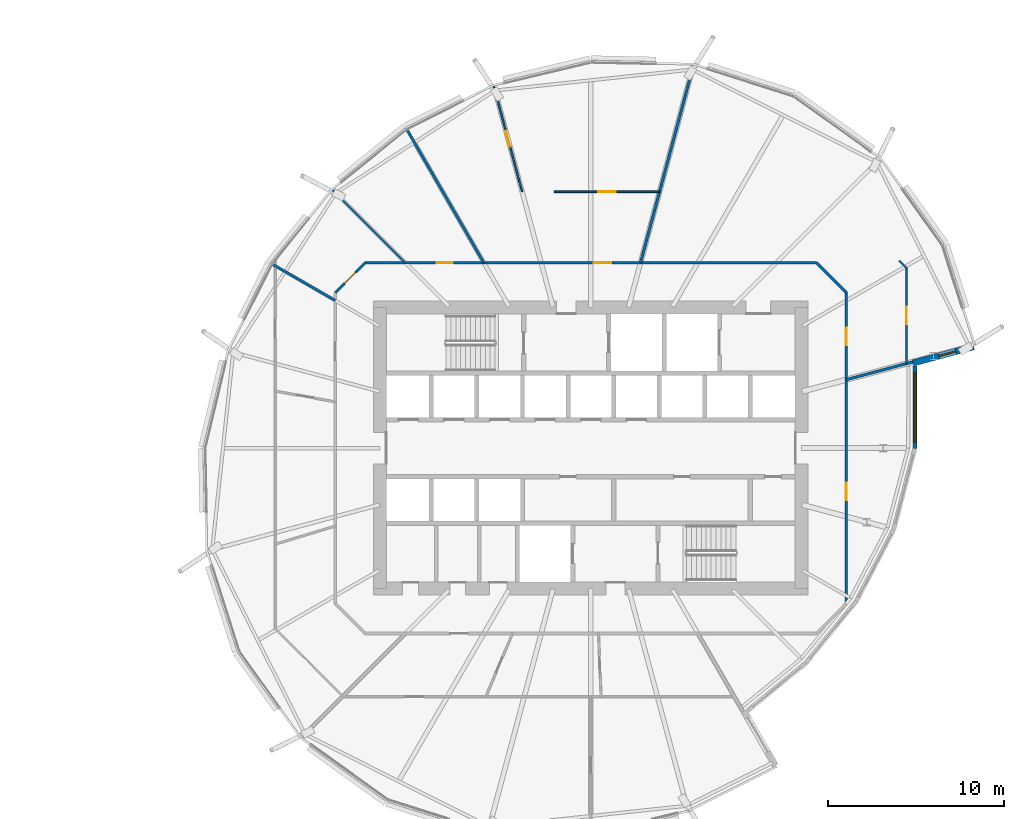
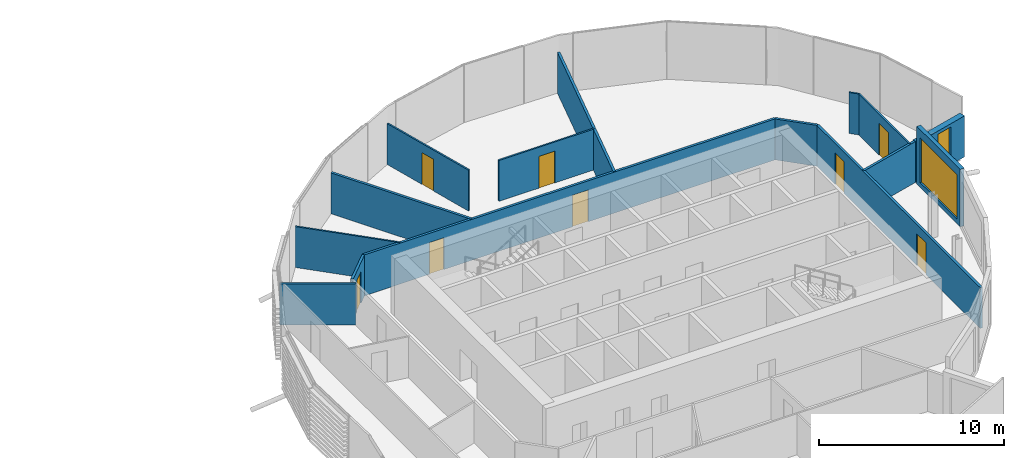
# One storey, part 26 of 38: 15 walls, 8 doors, 2 windows, 10 openings.
"""IFC4 building model written with IfcOpenShell, lengths in metres."""

import ifcopenshell
import ifcopenshell.guid

model = None  # the IFC model being written
_history = None  # IfcOwnerHistory: only IFC2X3 demands one
_inside = {}  # id of a spatial element -> (the spatial element, [elements in it])
_under = {}  # id of a project, library or spatial element -> (it, [spatial elements below it])
_declared = {}  # id of a project -> (the project, [libraries it declares])
_typed = {}  # id of a type object -> (the type object, [elements of that type])
_made_of = {}  # id of a material, layer set ... -> (it, [elements and type objects made of it])


def new_model(schema):
    """Start an empty IFC model of exactly this schema.

    Asked for "IFC4X3", IfcOpenShell would pick the latest addendum, in which some entities
    have other attributes; the version numbers below select the first issue.
    IFC2X3 requires an IfcOwnerHistory on every rooted entity: one is made here for all.
    """
    global model, _history
    if schema == "IFC4X3":
        model = ifcopenshell.file(schema_version=(4, 3, 0, 0))
    else:
        model = ifcopenshell.file(schema=schema)
    _inside.clear()
    _under.clear()
    _declared.clear()
    _typed.clear()
    _made_of.clear()
    _history = None
    if model.schema == "IFC2X3":
        org = make("IfcOrganization", Name="unknown")
        user = make(
            "IfcPersonAndOrganization",
            ThePerson=make("IfcPerson", FamilyName="unknown"),
            TheOrganization=org,
        )
        app = make(
            "IfcApplication",
            ApplicationDeveloper=org,
            Version="unknown",
            ApplicationFullName="unknown",
            ApplicationIdentifier="unknown",
        )
        _history = make(
            "IfcOwnerHistory",
            OwningUser=user,
            OwningApplication=app,
            ChangeAction="ADDED",
            CreationDate=0,
        )
    return model


def make(cls, **values):
    """One entity of the class cls with the attributes given. An attribute that is None is left unset."""
    return model.create_entity(
        cls, **{name: value for name, value in values.items() if value is not None}
    )


def rooted(cls, **values):
    """An entity with a GlobalId (a new one), such as an element, a storey or a relation."""
    return make(cls, GlobalId=ifcopenshell.guid.new(), OwnerHistory=_history, **values)


def si_unit(unit_type, name, prefix=None):
    """IfcSIUnit, for example si_unit("LENGTHUNIT", "METRE", prefix="MILLI")."""
    return make("IfcSIUnit", UnitType=unit_type, Prefix=prefix, Name=name)


def assignment(units):
    """IfcUnitAssignment: the units of a project."""
    return None if units is None else make("IfcUnitAssignment", Units=units)


def point(xyz):
    """IfcCartesianPoint."""
    return None if xyz is None else make("IfcCartesianPoint", Coordinates=xyz)


def direction(xyz):
    """IfcDirection."""
    return None if xyz is None else make("IfcDirection", DirectionRatios=xyz)


def frame(location, z_axis=None, x_axis=None):
    """IfcAxis2Placement3D, a coordinate frame: its origin and axes. An axis left out is left unset."""
    return make(
        "IfcAxis2Placement3D",
        Location=point(location),
        Axis=direction(z_axis),
        RefDirection=direction(x_axis),
    )


def frame_2d(location, x_axis=None):
    """IfcAxis2Placement2D, a coordinate frame in the plane: its origin and x axis."""
    return make(
        "IfcAxis2Placement2D", Location=point(location), RefDirection=direction(x_axis)
    )


def origin():
    """The frame at (0, 0, 0) with its axes left unset."""
    return frame((0.0, 0.0, 0.0))


def place(relative_to, where):
    """IfcLocalPlacement: puts the frame where relative to a parent placement (None: the world)."""
    return make(
        "IfcLocalPlacement", PlacementRelTo=relative_to, RelativePlacement=where
    )


def context(
    kind, dimensions, precision=None, world=None, true_north=None, identifier=None
):
    """IfcGeometricRepresentationContext, for example the 3D "Model" context."""
    return make(
        "IfcGeometricRepresentationContext",
        ContextIdentifier=identifier,
        ContextType=kind,
        CoordinateSpaceDimension=dimensions,
        Precision=precision,
        WorldCoordinateSystem=world,
        TrueNorth=true_north,
    )


def subcontext(parent, identifier, kind, view, scale=None):
    """IfcGeometricRepresentationSubContext, for example "Body" below "Model"."""
    return make(
        "IfcGeometricRepresentationSubContext",
        ContextIdentifier=identifier,
        ContextType=kind,
        ParentContext=parent,
        TargetScale=scale,
        TargetView=view,
    )


def project(units=None, contexts=None):
    """IfcProject with its units and contexts."""
    return rooted(
        "IfcProject",
        Name="project",
        RepresentationContexts=contexts,
        UnitsInContext=assignment(units),
    )


def spatial(cls, under=None, at=None, **own):
    """A site, building, storey or space (cls), placed at a placement, below another one or the project."""
    s = rooted(cls, ObjectPlacement=at, **own)
    if under is not None:
        _under.setdefault(under.id(), (under, []))[1].append(s)
    return s


def profile(cls, at=None, kind="AREA", **sizes):
    """A parametric profile (cls). Its sizes go by their IFC names, for example OverallWidth=200.0."""
    return make(cls, ProfileType=kind, Position=at, **sizes)


def rectangle(**sizes):
    """IfcRectangleProfileDef."""
    return profile("IfcRectangleProfileDef", **sizes)


def extrude(swept, where, along, depth):
    """IfcExtrudedAreaSolid: the profile swept, set in the frame where, extruded along a direction by depth."""
    return make(
        "IfcExtrudedAreaSolid",
        SweptArea=swept,
        Position=where,
        ExtrudedDirection=direction(along),
        Depth=depth,
    )


def shape(context_of_items, identifier, shape_type, items):
    """IfcShapeRepresentation: the items that make up one representation, for example the "Body"."""
    return make(
        "IfcShapeRepresentation",
        ContextOfItems=context_of_items,
        RepresentationIdentifier=identifier,
        RepresentationType=shape_type,
        Items=items,
    )


def material(Name=None, Category=None):
    """IfcMaterial."""
    return make("IfcMaterial", Name=Name, Category=Category)


def layer(
    of_material, thickness, ventilated=None, Name=None, Category=None, Priority=None
):
    """IfcMaterialLayer: one layer of a wall or slab, of a material (None: an air gap)."""
    return make(
        "IfcMaterialLayer",
        Material=of_material,
        LayerThickness=thickness,
        IsVentilated=ventilated,
        Name=Name,
        Category=Category,
        Priority=Priority,
    )


def layer_set(layers, Name=None):
    """IfcMaterialLayerSet."""
    return make("IfcMaterialLayerSet", MaterialLayers=layers, LayerSetName=Name)


def made_of(thing, what):
    """Note that an element or type object is made of a material, layer set ...; save() writes the relation."""
    if what is not None:
        _made_of.setdefault(what.id(), (what, []))[1].append(thing)
    return thing


def type_object(cls, material=None, **own):
    """A type object (cls), such as IfcWallType, which elements share."""
    return made_of(rooted(cls, **own), material)


def element(
    cls,
    number,
    at=None,
    inside=None,
    cuts=None,
    type_object=None,
    material=None,
    context=None,
    identifier="Body",
    shape_type=None,
    held_by="IfcProductDefinitionShape",
    body=None,
    shapes=None,
    **own,
):
    """One element of the class cls, such as IfcWall. Its Tag is "e" and its number.

    at: its placement. inside: the storey or other place that contains it. cuts: it is an
    opening in that element (IfcRelVoidsElement). A single representation is given by context,
    identifier, shape_type and body (its items); several are given by shapes. held_by: the class
    of the entity that holds the representations. save() writes the other relations.
    """
    e = rooted(cls, Tag="e%d" % number, ObjectPlacement=at, **own)
    if body is not None:
        shapes = [shape(context, identifier, shape_type, body)]
    if shapes is not None:
        e.Representation = make(held_by, Representations=shapes)
    if inside is not None:
        _inside.setdefault(inside.id(), (inside, []))[1].append(e)
    if cuts is not None:
        rooted(
            "IfcRelVoidsElement", RelatingBuildingElement=cuts, RelatedOpeningElement=e
        )
    if type_object is not None:
        _typed.setdefault(type_object.id(), (type_object, []))[1].append(e)
    return made_of(e, material)


def fill(opening, filler):
    """IfcRelFillsElement: the door or window that sits in an opening."""
    return rooted(
        "IfcRelFillsElement",
        RelatingOpeningElement=opening,
        RelatedBuildingElement=filler,
    )


def aggregate(whole, parts):
    """IfcRelAggregates: a whole, such as a stair, and the parts it consists of."""
    return rooted("IfcRelAggregates", RelatingObject=whole, RelatedObjects=parts)


def save(model, path):
    """Write the relations noted so far, then the file.

    IfcRelAggregates (storeys below a building ...), IfcRelContainedInSpatialStructure (elements
    in a storey), IfcRelDefinesByType, IfcRelAssociatesMaterial and IfcRelDeclares: one each for
    every whole, place, type object, material and project.
    """
    for whole, parts in _under.values():
        aggregate(whole, parts)
    for where, things in _inside.values():
        rooted(
            "IfcRelContainedInSpatialStructure",
            RelatedElements=things,
            RelatingStructure=where,
        )
    for kind, things in _typed.values():
        rooted("IfcRelDefinesByType", RelatedObjects=things, RelatingType=kind)
    for what, things in _made_of.values():
        rooted("IfcRelAssociatesMaterial", RelatedObjects=things, RelatingMaterial=what)
    for by, libraries in _declared.values():
        rooted("IfcRelDeclares", RelatingContext=by, RelatedDefinitions=libraries)
    model.write(path)


model = new_model("IFC4")

# Units and contexts
model_context = context("Model", 3, precision=1e-05, world=origin(), true_north=direction((0.0, 1.0)))
body_context = subcontext(model_context, "Body", "Model", "MODEL_VIEW")
ifc_project = project(units=[si_unit("LENGTHUNIT", "METRE"), si_unit("AREAUNIT", "SQUARE_METRE"), si_unit("VOLUMEUNIT", "CUBIC_METRE"), si_unit("PLANEANGLEUNIT", "RADIAN"), si_unit("MASSUNIT", "GRAM", prefix="KILO")], contexts=[model_context])

# Site, building, storey
site_placement = place(None, origin())
site = spatial("IfcSite", under=ifc_project, at=site_placement, CompositionType="ELEMENT")
building_placement = place(site_placement, origin())
building = spatial("IfcBuilding", under=site, at=building_placement, Name="Rimbun Link Towers", CompositionType="ELEMENT")
storey_placement = place(building_placement, frame((0.0, 0.0, 108.199951171875)))
storey = spatial("IfcBuildingStorey", under=building, at=storey_placement, Name="L26", CompositionType="ELEMENT", Elevation=108.199951171875)

# Wall, opening, window
ifc_material_1 = material(Name="Dark enamelled glass spandrel on insulated aluminium backpan", Category="aluminium")
ifc_layer_1 = layer(ifc_material_1, 0.25)
ifc_layer_set_1 = layer_set([ifc_layer_1], Name="CS dark enamelled spandrel wall 250")
wall_type_1 = type_object("IfcWallType", Name="CS dark enamelled spandrel wall 250", PredefinedType="STANDARD", material=ifc_layer_set_1)
wall_1_placement = place(storey_placement, frame((50.2041015625, 4.68603515625, 0.0), z_axis=(0.0, 0.0, 1.0), x_axis=(0.000103842159, -0.999999994608, 0.0)))
wall_1 = element("IfcWall", 1, at=wall_1_placement, inside=storey, type_object=wall_type_1, Name="Crease spandrel wall", PredefinedType="STANDARD", context=body_context, shape_type="SweptSolid", body=[
    extrude(rectangle(XDim=4.7021484375, YDim=0.25, at=frame_2d((2.35107421875, 0.0))), origin(), (0.0, 0.0, 1.0), 3.800048828125),
])
opening_1_placement = place(wall_1_placement, frame((0.35107421875, 0.0, 0.300048828125)))
opening_1 = element("IfcOpeningElement", 2, at=opening_1_placement, cuts=wall_1, Name="Opening WR40H295", PredefinedType="OPENING", context=body_context, shape_type="SweptSolid", body=[
    extrude(rectangle(XDim=4.0, YDim=2.949951171875, at=frame_2d((2.0, 1.47509765625))), frame((0.0, 0.135009765625, 0.0), z_axis=(0.0, -1.0, 0.0), x_axis=(1.0, 0.0, 0.0)), (0.0, 0.0, 1.0), 0.27001953125),
])
ifc_material_2 = material(Name="Aluminium framed fixed window, dark tinted low-e glass", Category="aluminium")
window_type_1 = type_object("IfcWindowType", Name="WR ribbon window 4000X2950", PartitioningType="SINGLE_PANEL", PredefinedType="WINDOW", material=ifc_material_2)
window_1_placement = place(opening_1_placement, origin())
window_1 = element("IfcWindow", 3, at=window_1_placement, inside=storey, type_object=window_type_1, Name="Crease ribbon window", OverallHeight=2.949951171875, OverallWidth=4.0, PartitioningType="SINGLE_PANEL", PredefinedType="WINDOW", context=body_context, shape_type="SweptSolid", body=[
    extrude(rectangle(XDim=4.0, YDim=2.949951171875, at=frame_2d((2.0, 1.47509765625))), frame((0.0, 0.030029296875, 0.0), z_axis=(0.0, -1.0, 0.0), x_axis=(1.0, 0.0, 0.0)), (0.0, 0.0, 1.0), 0.06005859375),
])
fill(opening_1, window_1)

ifc_material_3 = material(Name="Dark enamelled glass spandrel on insulated aluminium backpan", Category="aluminium")
ifc_layer_2 = layer(ifc_material_3, 0.3701171875)
ifc_layer_set_2 = layer_set([ifc_layer_2], Name="CS dark enamelled spandrel wall 370")
wall_type_2 = type_object("IfcWallType", Name="CS dark enamelled spandrel wall 370", PredefinedType="STANDARD", material=ifc_layer_set_2)
wall_2_placement = place(storey_placement, frame((53.553955078125, 5.775146484375, 0.0), z_axis=(0.0, 0.0, 1.0), x_axis=(-0.965929787715, -0.258804260405, 0.0)))
wall_2 = element("IfcWall", 4, at=wall_2_placement, inside=storey, type_object=wall_type_2, Name="Crease spandrel wall", PredefinedType="STANDARD", context=body_context, shape_type="SweptSolid", body=[
    extrude(rectangle(XDim=3.580078125, YDim=0.3701171875, at=frame_2d((1.7900390625, 0.0))), origin(), (0.0, 0.0, 1.0), 2.711669921875),
])
opening_2_placement = place(wall_2_placement, frame((1.060791015625, 0.0, 0.300048828125)))
opening_2 = element("IfcOpeningElement", 5, at=opening_2_placement, cuts=wall_2, Name="Opening WR10H220", PredefinedType="OPENING", context=body_context, shape_type="SweptSolid", body=[
    extrude(rectangle(XDim=1.0, YDim=2.199951171875, at=frame_2d((0.5, 1.10009765625))), frame((0.0, 0.195068359375, 0.0), z_axis=(0.0, -1.0, 0.0), x_axis=(1.0, 0.0, 0.0)), (0.0, 0.0, 1.0), 0.39013671875),
])
ifc_material_4 = material(Name="Aluminium framed fixed window, dark tinted low-e glass", Category="aluminium")
window_type_2 = type_object("IfcWindowType", Name="WR ribbon window 1000X2200", PartitioningType="SINGLE_PANEL", PredefinedType="WINDOW", material=ifc_material_4)
window_2_placement = place(opening_2_placement, origin())
window_2 = element("IfcWindow", 6, at=window_2_placement, inside=storey, type_object=window_type_2, Name="Crease ribbon window", OverallHeight=2.199951171875, OverallWidth=1.0, PartitioningType="SINGLE_PANEL", PredefinedType="WINDOW", context=body_context, shape_type="SweptSolid", body=[
    extrude(rectangle(XDim=1.0, YDim=2.199951171875, at=frame_2d((0.5, 1.10009765625))), frame((0.0, 0.030029296875, 0.0), z_axis=(0.0, -1.0, 0.0), x_axis=(1.0, 0.0, 0.0)), (0.0, 0.0, 1.0), 0.06005859375),
])
fill(opening_2, window_2)

# Wall, openings, doors
ifc_material_5 = material(Name="Plasterboard on steel stud, mineral wool", Category="steel")
ifc_layer_3 = layer(ifc_material_5, 0.14990234375)
ifc_layer_set_3 = layer_set([ifc_layer_3], Name="Corridor wall EI 30 150 mm")
wall_type_3 = type_object("IfcWallType", Name="Corridor wall EI 30 150 mm", PredefinedType="PARTITIONING", material=ifc_layer_set_3)
wall_3_placement = place(storey_placement, frame((18.898193359375, 10.550048828125, 0.0), z_axis=(0.0, 0.0, 1.0), x_axis=(1.0, 0.0, 0.0)))
wall_3 = element("IfcWall", 7, at=wall_3_placement, inside=storey, type_object=wall_type_3, Name="Corridor wall EI 30 150 mm", PredefinedType="PARTITIONING", context=body_context, shape_type="SweptSolid", body=[
    extrude(rectangle(XDim=25.70361328125, YDim=0.14990234375, at=frame_2d((12.851806640625, 0.0))), origin(), (0.0, 0.0, 1.0), 2.7021484375),
])
opening_3_placement = place(wall_3_placement, frame((13.026611328125, 0.0, 0.0)))
opening_3 = element("IfcOpeningElement", 8, at=opening_3_placement, cuts=wall_3, Name="Opening D01", PredefinedType="OPENING", context=body_context, shape_type="SweptSolid", body=[
    extrude(rectangle(XDim=1.0, YDim=2.10009765625, at=frame_2d((0.5, 1.050048828125))), frame((0.0, 0.0849609375, 0.0), z_axis=(0.0, -1.0, 0.0), x_axis=(1.0, 0.0, 0.0)), (0.0, 0.0, 1.0), 0.169921875),
])
opening_4_placement = place(wall_3_placement, frame((4.081298828125, 0.0, 0.0)))
opening_4 = element("IfcOpeningElement", 9, at=opening_4_placement, cuts=wall_3, Name="Opening D02", PredefinedType="OPENING", context=body_context, shape_type="SweptSolid", body=[
    extrude(rectangle(XDim=0.89990234375, YDim=2.10009765625, at=frame_2d((0.449951171875, 1.050048828125))), frame((0.0, 0.0849609375, 0.0), z_axis=(0.0, -1.0, 0.0), x_axis=(1.0, 0.0, 0.0)), (0.0, 0.0, 1.0), 0.169921875),
])
ifc_material_6 = material(Name="Fire-resisting timber door leaf", Category="wood")
door_type_1 = type_object("IfcDoorType", Name="Fire door FD30S 1000", OperationType="NOTDEFINED", PredefinedType="DOOR", material=ifc_material_6)
door_1_placement = place(opening_3_placement, origin())
door_1 = element("IfcDoor", 10, at=door_1_placement, inside=storey, type_object=door_type_1, Name="Fire door FD30S 1000 to Reception", OperationType="SINGLE_SWING_RIGHT", OverallHeight=2.10009765625, OverallWidth=1.0, PredefinedType="DOOR", context=body_context, shape_type="SweptSolid", body=[
    extrude(rectangle(XDim=1.0, YDim=2.10009765625, at=frame_2d((0.5, 1.050048828125))), frame((0.0, 0.02490234375, 0.0), z_axis=(0.0, -1.0, 0.0), x_axis=(1.0, 0.0, 0.0)), (0.0, 0.0, 1.0), 0.050048828125),
])
fill(opening_3, door_1)
ifc_material_7 = material(Name="Fire-resisting timber door leaf", Category="wood")
door_type_2 = type_object("IfcDoorType", Name="Fire door FD30S 900", OperationType="NOTDEFINED", PredefinedType="DOOR", material=ifc_material_7)
door_2_placement = place(opening_4_placement, origin())
door_2 = element("IfcDoor", 11, at=door_2_placement, inside=storey, type_object=door_type_2, Name="Fire door FD30S 900 to Cellular office", OperationType="SINGLE_SWING_LEFT", OverallHeight=2.10009765625, OverallWidth=0.89990234375, PredefinedType="DOOR", context=body_context, shape_type="SweptSolid", body=[
    extrude(rectangle(XDim=0.89990234375, YDim=2.10009765625, at=frame_2d((0.449951171875, 1.050048828125))), frame((0.0, 0.02490234375, 0.0), z_axis=(0.0, -1.0, 0.0), x_axis=(1.0, 0.0, 0.0)), (0.0, 0.0, 1.0), 0.050048828125),
])
fill(opening_4, door_2)

# Wall
wall_4_placement = place(storey_placement, frame((46.300048828125, 8.851806640625, 0.0), z_axis=(0.0, 0.0, 1.0), x_axis=(-0.707106781187, 0.707106781187, 0.0)))
element("IfcWall", 12, at=wall_4_placement, inside=storey, type_object=wall_type_3, Name="Corridor wall EI 30 150 mm", PredefinedType="PARTITIONING", context=body_context, shape_type="SweptSolid", body=[
    extrude(rectangle(XDim=2.401611328125, YDim=0.14990234375, at=frame_2d((1.20068359375, 0.0))), origin(), (0.0, 0.0, 1.0), 2.7021484375),
])

# Wall, openings, doors
wall_5_placement = place(storey_placement, frame((46.300048828125, 8.851806640625, 0.0), z_axis=(0.0, 0.0, 1.0), x_axis=(0.0, -1.0, 0.0)))
wall_5 = element("IfcWall", 13, at=wall_5_placement, inside=storey, type_object=wall_type_3, Name="Corridor wall EI 30 150 mm", PredefinedType="PARTITIONING", context=body_context, shape_type="SweptSolid", body=[
    extrude(rectangle(XDim=17.70361328125, YDim=0.14990234375, at=frame_2d((8.851806640625, 0.0))), origin(), (0.0, 0.0, 1.0), 2.7021484375),
])
opening_5_placement = place(wall_5_placement, frame((1.994873046875, 0.0, 0.0)))
opening_5 = element("IfcOpeningElement", 14, at=opening_5_placement, cuts=wall_5, Name="Opening D01", PredefinedType="OPENING", context=body_context, shape_type="SweptSolid", body=[
    extrude(rectangle(XDim=1.0, YDim=2.10009765625, at=frame_2d((0.5, 1.050048828125))), frame((0.0, 0.0849609375, 0.0), z_axis=(0.0, -1.0, 0.0), x_axis=(1.0, 0.0, 0.0)), (0.0, 0.0, 1.0), 0.169921875),
])
opening_6_placement = place(wall_5_placement, frame((10.828125, 0.0, 0.0)))
opening_6 = element("IfcOpeningElement", 15, at=opening_6_placement, cuts=wall_5, Name="Opening D01", PredefinedType="OPENING", context=body_context, shape_type="SweptSolid", body=[
    extrude(rectangle(XDim=1.0, YDim=2.10009765625, at=frame_2d((0.5, 1.050048828125))), frame((0.0, 0.0849609375, 0.0), z_axis=(0.0, -1.0, 0.0), x_axis=(1.0, 0.0, 0.0)), (0.0, 0.0, 1.0), 0.169921875),
])
door_3_placement = place(opening_5_placement, origin())
door_3 = element("IfcDoor", 16, at=door_3_placement, inside=storey, type_object=door_type_1, Name="Fire door FD30S 1000 to Reception", OperationType="SINGLE_SWING_LEFT", OverallHeight=2.10009765625, OverallWidth=1.0, PredefinedType="DOOR", context=body_context, shape_type="SweptSolid", body=[
    extrude(rectangle(XDim=1.0, YDim=2.10009765625, at=frame_2d((0.5, 1.050048828125))), frame((0.0, 0.02490234375, 0.0), z_axis=(0.0, -1.0, 0.0), x_axis=(1.0, 0.0, 0.0)), (0.0, 0.0, 1.0), 0.050048828125),
])
fill(opening_5, door_3)
door_4_placement = place(opening_6_placement, origin())
door_4 = element("IfcDoor", 17, at=door_4_placement, inside=storey, type_object=door_type_1, Name="Fire door FD30S 1000 to Terrace office", OperationType="SINGLE_SWING_LEFT", OverallHeight=2.10009765625, OverallWidth=1.0, PredefinedType="DOOR", context=body_context, shape_type="SweptSolid", body=[
    extrude(rectangle(XDim=1.0, YDim=2.10009765625, at=frame_2d((0.5, 1.050048828125))), frame((0.0, 0.02490234375, 0.0), z_axis=(0.0, -1.0, 0.0), x_axis=(1.0, 0.0, 0.0)), (0.0, 0.0, 1.0), 0.050048828125),
])
fill(opening_6, door_4)

# Wall, opening, door
wall_6_placement = place(storey_placement, frame((17.199951171875, 8.851806640625, 0.0), z_axis=(0.0, 0.0, 1.0), x_axis=(0.707106781187, 0.707106781187, 0.0)))
wall_6 = element("IfcWall", 18, at=wall_6_placement, inside=storey, type_object=wall_type_3, Name="Corridor wall EI 30 150 mm", PredefinedType="PARTITIONING", context=body_context, shape_type="SweptSolid", body=[
    extrude(rectangle(XDim=2.401611328125, YDim=0.14990234375, at=frame_2d((1.20068359375, 0.0))), origin(), (0.0, 0.0, 1.0), 2.7021484375),
])
opening_7_placement = place(wall_6_placement, frame((0.7509765625, 0.0, 0.0)))
opening_7 = element("IfcOpeningElement", 19, at=opening_7_placement, cuts=wall_6, Name="Opening D02", PredefinedType="OPENING", context=body_context, shape_type="SweptSolid", body=[
    extrude(rectangle(XDim=0.89990234375, YDim=2.10009765625, at=frame_2d((0.449951171875, 1.050048828125))), frame((0.0, 0.0849609375, 0.0), z_axis=(0.0, -1.0, 0.0), x_axis=(1.0, 0.0, 0.0)), (0.0, 0.0, 1.0), 0.169921875),
])
door_5_placement = place(opening_7_placement, origin())
door_5 = element("IfcDoor", 20, at=door_5_placement, inside=storey, type_object=door_type_2, Name="Fire door FD30S 900 to Cellular office", OperationType="SINGLE_SWING_RIGHT", OverallHeight=2.10009765625, OverallWidth=0.89990234375, PredefinedType="DOOR", context=body_context, shape_type="SweptSolid", body=[
    extrude(rectangle(XDim=0.89990234375, YDim=2.10009765625, at=frame_2d((0.449951171875, 1.050048828125))), frame((0.0, 0.02490234375, 0.0), z_axis=(0.0, -1.0, 0.0), x_axis=(1.0, 0.0, 0.0)), (0.0, 0.0, 1.0), 0.050048828125),
])
fill(opening_7, door_5)

ifc_material_8 = material(Name="Plasterboard on steel stud", Category="steel")
ifc_layer_4 = layer(ifc_material_8, 0.10009765625)
ifc_layer_set_4 = layer_set([ifc_layer_4], Name="Plasterboard partition 100 mm")
wall_type_4 = type_object("IfcWallType", Name="Plasterboard partition 100 mm", PredefinedType="PARTITIONING", material=ifc_layer_set_4)
wall_7_placement = place(storey_placement, frame((49.719970703125, 10.268310546875, 0.0), z_axis=(0.0, 0.0, 1.0), x_axis=(0.0, -1.0, 0.0)))
wall_7 = element("IfcWall", 21, at=wall_7_placement, inside=storey, type_object=wall_type_4, Name="Plasterboard partition 100 mm", PredefinedType="PARTITIONING", context=body_context, shape_type="SweptSolid", body=[
    extrude(rectangle(XDim=5.453125, YDim=0.10009765625, at=frame_2d((2.7265625, 0.0))), origin(), (0.0, 0.0, 1.0), 2.7021484375),
])
opening_8_placement = place(wall_7_placement, frame((2.2265625, 0.0, 0.0)))
opening_8 = element("IfcOpeningElement", 22, at=opening_8_placement, cuts=wall_7, Name="Opening D03", PredefinedType="OPENING", context=body_context, shape_type="SweptSolid", body=[
    extrude(rectangle(XDim=1.0, YDim=2.10009765625, at=frame_2d((0.5, 1.050048828125))), frame((0.0, 0.06005859375, 0.0), z_axis=(0.0, -1.0, 0.0), x_axis=(1.0, 0.0, 0.0)), (0.0, 0.0, 1.0), 0.1201171875),
])
ifc_material_9 = material(Name="Timber door leaf", Category="wood")
door_type_3 = type_object("IfcDoorType", Name="Flush door 1000", OperationType="NOTDEFINED", PredefinedType="DOOR", material=ifc_material_9)
door_6_placement = place(opening_8_placement, origin())
door_6 = element("IfcDoor", 23, at=door_6_placement, inside=storey, type_object=door_type_3, Name="Flush door 1000 to Open office", OperationType="SINGLE_SWING_RIGHT", OverallHeight=2.10009765625, OverallWidth=1.0, PredefinedType="DOOR", context=body_context, shape_type="SweptSolid", body=[
    extrude(rectangle(XDim=1.0, YDim=2.10009765625, at=frame_2d((0.5, 1.050048828125))), frame((0.0, 0.02490234375, 0.0), z_axis=(0.0, -1.0, 0.0), x_axis=(1.0, 0.0, 0.0)), (0.0, 0.0, 1.0), 0.050048828125),
])
fill(opening_8, door_6)

# Wall
wall_8_placement = place(storey_placement, frame((49.719970703125, 10.268310546875, 0.0), z_axis=(0.0, 0.0, 1.0), x_axis=(-0.707106781187, 0.707106781187, 0.0)))
element("IfcWall", 24, at=wall_8_placement, inside=storey, type_object=wall_type_4, Name="Plasterboard partition 100 mm", PredefinedType="PARTITIONING", context=body_context, shape_type="SweptSolid", body=[
    extrude(rectangle(XDim=0.575439453125, YDim=0.10009765625, at=frame_2d((0.28759765625, 0.0))), origin(), (0.0, 0.0, 1.0), 2.7021484375),
])

# Wall, opening, door
wall_9_placement = place(storey_placement, frame((29.67578125, 14.60009765625, 0.0), z_axis=(0.0, 0.0, 1.0), x_axis=(1.0, 0.0, 0.0)))
wall_9 = element("IfcWall", 25, at=wall_9_placement, inside=storey, type_object=wall_type_4, Name="Plasterboard partition 100 mm", PredefinedType="PARTITIONING", context=body_context, shape_type="SweptSolid", body=[
    extrude(rectangle(XDim=5.986328125, YDim=0.10009765625, at=frame_2d((2.9931640625, 0.0))), origin(), (0.0, 0.0, 1.0), 2.7021484375),
])
opening_9_placement = place(wall_9_placement, frame((2.4931640625, 0.0, 0.0)))
opening_9 = element("IfcOpeningElement", 26, at=opening_9_placement, cuts=wall_9, Name="Opening D03", PredefinedType="OPENING", context=body_context, shape_type="SweptSolid", body=[
    extrude(rectangle(XDim=1.0, YDim=2.10009765625, at=frame_2d((0.5, 1.050048828125))), frame((0.0, 0.06005859375, 0.0), z_axis=(0.0, -1.0, 0.0), x_axis=(1.0, 0.0, 0.0)), (0.0, 0.0, 1.0), 0.1201171875),
])
door_7_placement = place(opening_9_placement, origin())
door_7 = element("IfcDoor", 27, at=door_7_placement, inside=storey, type_object=door_type_3, Name="Flush door 1000 to Boardroom", OperationType="SINGLE_SWING_LEFT", OverallHeight=2.10009765625, OverallWidth=1.0, PredefinedType="DOOR", context=body_context, shape_type="SweptSolid", body=[
    extrude(rectangle(XDim=1.0, YDim=2.10009765625, at=frame_2d((0.5, 1.050048828125))), frame((0.0, 0.02490234375, 0.0), z_axis=(0.0, -1.0, 0.0), x_axis=(1.0, 0.0, 0.0)), (0.0, 0.0, 1.0), 0.050048828125),
])
fill(opening_9, door_7)

wall_10_placement = place(storey_placement, frame((27.837890625, 14.60009765625, 0.0), z_axis=(0.0, 0.0, 1.0), x_axis=(-0.258827630908, 0.965923525688, 0.0)))
wall_10 = element("IfcWall", 28, at=wall_10_placement, inside=storey, type_object=wall_type_4, Name="Plasterboard partition 100 mm", PredefinedType="PARTITIONING", context=body_context, shape_type="SweptSolid", body=[
    extrude(rectangle(XDim=6.220703125, YDim=0.10009765625, at=frame_2d((3.1103515625, 0.0))), origin(), (0.0, 0.0, 1.0), 2.7021484375),
])
opening_10_placement = place(wall_10_placement, frame((2.660400390625, 0.0, 0.0)))
opening_10 = element("IfcOpeningElement", 29, at=opening_10_placement, cuts=wall_10, Name="Opening D04", PredefinedType="OPENING", context=body_context, shape_type="SweptSolid", body=[
    extrude(rectangle(XDim=0.89990234375, YDim=2.10009765625, at=frame_2d((0.449951171875, 1.050048828125))), frame((0.0, 0.06005859375, 0.0), z_axis=(0.0, -1.0, 0.0), x_axis=(1.0, 0.0, 0.0)), (0.0, 0.0, 1.0), 0.1201171875),
])
ifc_material_10 = material(Name="Timber door leaf", Category="wood")
door_type_4 = type_object("IfcDoorType", Name="Flush door 900", OperationType="NOTDEFINED", PredefinedType="DOOR", material=ifc_material_10)
door_8_placement = place(opening_10_placement, origin())
door_8 = element("IfcDoor", 30, at=door_8_placement, inside=storey, type_object=door_type_4, Name="Flush door 900 to Meeting room", OperationType="SINGLE_SWING_RIGHT", OverallHeight=2.10009765625, OverallWidth=0.89990234375, PredefinedType="DOOR", context=body_context, shape_type="SweptSolid", body=[
    extrude(rectangle(XDim=0.89990234375, YDim=2.10009765625, at=frame_2d((0.449951171875, 1.050048828125))), frame((0.0, 0.02490234375, 0.0), z_axis=(0.0, -1.0, 0.0), x_axis=(1.0, 0.0, 0.0)), (0.0, 0.0, 1.0), 0.050048828125),
])
fill(opening_10, door_8)

# Walls
wall_11_placement = place(storey_placement, frame((17.050537109375, 14.699462890625, 0.0), z_axis=(0.0, 0.0, 1.0), x_axis=(0.707106781187, -0.707106781187, 0.0)))
element("IfcWall", 31, at=wall_11_placement, inside=storey, type_object=wall_type_4, Name="Plasterboard partition 100 mm", PredefinedType="PARTITIONING", context=body_context, shape_type="SweptSolid", body=[
    extrude(rectangle(XDim=5.8681640625, YDim=0.10009765625, at=frame_2d((2.93408203125, 0.0))), origin(), (0.0, 0.0, 1.0), 2.7021484375),
])
ifc_material_11 = material(Name="Plasterboard on steel stud, mineral wool", Category="steel")
ifc_layer_5 = layer(ifc_material_11, 0.14990234375)
ifc_layer_set_5 = layer_set([ifc_layer_5], Name="Tenancy separation wall EI 60 150 mm")
wall_type_5 = type_object("IfcWallType", Name="Tenancy separation wall EI 60 150 mm", PredefinedType="PARTITIONING", material=ifc_layer_set_5)
wall_12_placement = place(storey_placement, frame((34.576904296875, 10.550048828125, 0.0), z_axis=(0.0, 0.0, 1.0), x_axis=(0.258817765452, 0.96592616917, 0.0)))
element("IfcWall", 32, at=wall_12_placement, inside=storey, type_object=wall_type_5, Name="Tenancy separation wall EI 60 150 mm", PredefinedType="PARTITIONING", context=body_context, shape_type="SweptSolid", body=[
    extrude(rectangle(XDim=11.6533203125, YDim=0.14990234375, at=frame_2d((5.82666015625, 0.0))), origin(), (0.0, 0.0, 1.0), 2.7021484375),
])
wall_13_placement = place(storey_placement, frame((25.658935546875, 10.550048828125, 0.0), z_axis=(0.0, 0.0, 1.0), x_axis=(-0.500001864776, 0.866024327153, 0.0)))
element("IfcWall", 33, at=wall_13_placement, inside=storey, type_object=wall_type_5, Name="Tenancy separation wall EI 60 150 mm", PredefinedType="PARTITIONING", context=body_context, shape_type="SweptSolid", body=[
    extrude(rectangle(XDim=8.74853515625, YDim=0.14990234375, at=frame_2d((4.374267578125, 0.0))), origin(), (0.0, 0.0, 1.0), 2.7021484375),
])
wall_14_placement = place(storey_placement, frame((17.199951171875, 8.400390625, 0.0), z_axis=(0.0, 0.0, 1.0), x_axis=(-0.866015268904, 0.500017553716, 0.0)))
element("IfcWall", 34, at=wall_14_placement, inside=storey, type_object=wall_type_5, Name="Tenancy separation wall EI 60 150 mm", PredefinedType="PARTITIONING", context=body_context, shape_type="SweptSolid", body=[
    extrude(rectangle(XDim=4.129638671875, YDim=0.14990234375, at=frame_2d((2.06494140625, 0.0))), origin(), (0.0, 0.0, 1.0), 2.7021484375),
])
wall_15_placement = place(storey_placement, frame((46.300048828125, 3.898681640625, 0.0), z_axis=(0.0, 0.0, 1.0), x_axis=(0.965919360363, 0.258843175062, 0.0)))
element("IfcWall", 35, at=wall_15_placement, inside=storey, type_object=wall_type_5, Name="Tenancy separation wall EI 60 150 mm", PredefinedType="PARTITIONING", context=body_context, shape_type="SweptSolid", body=[
    extrude(rectangle(XDim=3.912353515625, YDim=0.14990234375, at=frame_2d((1.9560546875, 0.0))), origin(), (0.0, 0.0, 1.0), 2.7021484375),
])

save(model, "model.ifc")
